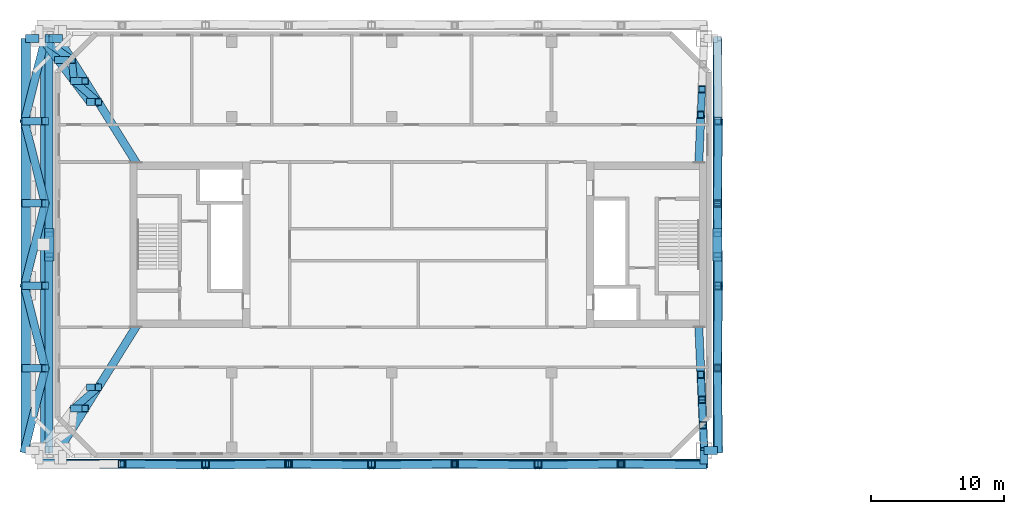
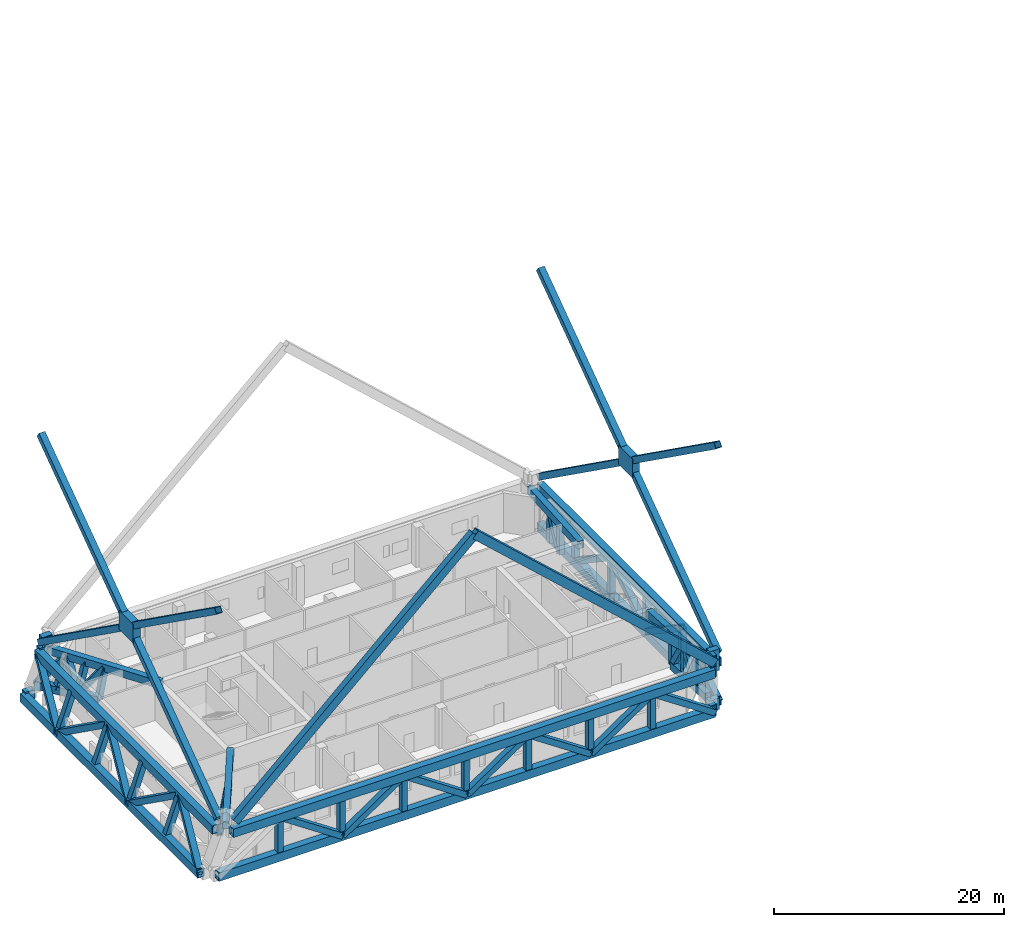
# One storey, part 2 of 22: 61 members, 21 beams.
"""IFC4 building model written with IfcOpenShell, lengths in metres."""

from ifc_helpers import new_model, si_unit, direction, frame, origin, origin_2d, place, context, subcontext, project, spatial, rectangle, hollow_rectangle, extrude, material, material_profile, profile_set, type_object, element, save


model = new_model("IFC4")

# Units and contexts
model_context = context("Model", 3, precision=1e-05, world=origin(), true_north=direction((0.0, 1.0)))
body_context = subcontext(model_context, "Body", "Model", "MODEL_VIEW")
ifc_project = project(units=[si_unit("LENGTHUNIT", "METRE"), si_unit("AREAUNIT", "SQUARE_METRE"), si_unit("VOLUMEUNIT", "CUBIC_METRE"), si_unit("PLANEANGLEUNIT", "RADIAN"), si_unit("MASSUNIT", "GRAM", prefix="KILO")], contexts=[model_context])

# Site, building, storey
site_placement = place(None, origin())
site = spatial("IfcSite", under=ifc_project, at=site_placement, CompositionType="ELEMENT")
building_placement = place(site_placement, origin())
building = spatial("IfcBuilding", under=site, at=building_placement, Name="Tuart Gate Housing", CompositionType="ELEMENT")
storey_placement = place(building_placement, frame((0.0, 0.0, 115.0)))
storey = spatial("IfcBuildingStorey", under=building, at=storey_placement, Name="L32", CompositionType="ELEMENT", Elevation=115.0)

# Beams
ifc_material_1 = material(Name="Steel Grade 350", Category="steel")
ifc_material_profile_1 = material_profile(ifc_material_1, hollow_rectangle(XDim=0.699951171875, YDim=0.89990234375, WallThickness=0.0400390625, at=origin_2d()), Name="BOX 900x700x40")
ifc_profile_set_1 = profile_set([ifc_material_profile_1], Name="Steel Grade 350")
beam_type_1 = type_object("IfcBeamType", Name="Belt truss chord BOX 900x700x40", PredefinedType="BEAM", material=ifc_profile_set_1)
for number, where, z_axis, x_axis, name in (
    (1, (26.00830078125, 54.550048828125, 3.75), (0.0, 1.0, 0.0), (-1.0, 0.0, 0.0), "Belt truss top chord A west L32"),
    (2, (76.449951171875, 54.550048828125, 3.75), (0.0, 1.0, 0.0), (-1.0, 0.0, 0.0), "Belt truss top chord A east L32"),
):
    element("IfcBeam", number, at=place(storey_placement, frame(where, z_axis=z_axis, x_axis=x_axis)), inside=storey, type_object=beam_type_1, Name=name, PredefinedType="BEAM", context=body_context, shape_type="SweptSolid", body=[
        extrude(hollow_rectangle(XDim=0.699951171875, YDim=0.89990234375, WallThickness=0.0400390625, at=origin_2d()), origin(), (0.0, 0.0, 1.0), 30.89990234375),
    ])
ifc_material_2 = material(Name="Steel Grade 350", Category="steel")
ifc_material_profile_2 = material_profile(ifc_material_2, hollow_rectangle(XDim=0.699951171875, YDim=0.89990234375, WallThickness=0.0400390625, at=origin_2d()), Name="BOX 900x700x40")
ifc_profile_set_2 = profile_set([ifc_material_profile_2], Name="Steel Grade 350")
beam_type_2 = type_object("IfcBeamType", Name="Belt truss chord BOX 900x700x40 (40.9-51.9 m)", PredefinedType="BEAM", material=ifc_profile_set_2)
beam_1_placement = place(storey_placement, frame((27.00830078125, 53.550048828125, 3.75), z_axis=(1.0, 0.0, 0.0), x_axis=(0.0, 1.0, 0.0)))
element("IfcBeam", 3, at=beam_1_placement, inside=storey, type_object=beam_type_2, Name="Belt truss top chord A south L32", PredefinedType="BEAM", context=body_context, shape_type="SweptSolid", body=[
    extrude(hollow_rectangle(XDim=0.699951171875, YDim=0.89990234375, WallThickness=0.0400390625, at=origin_2d()), origin(), (0.0, 0.0, 1.0), 48.441650390625),
])

# Members
ifc_material_3 = material(Name="Steel Grade 350", Category="steel")
ifc_material_profile_3 = material_profile(ifc_material_3, hollow_rectangle(XDim=0.60009765625, YDim=0.60009765625, WallThickness=0.031982421875, at=origin_2d()), Name="BOX 600x600x32")
ifc_profile_set_3 = profile_set([ifc_material_profile_3], Name="Steel Grade 350")
member_type_1 = type_object("IfcMemberType", Name="Belt truss diagonal BOX 600x600x32", PredefinedType="BRACE", material=ifc_profile_set_3)
member_1_placement = place(storey_placement, frame((31.78759765625, 53.550048828125, 3.75), z_axis=(0.832487019192, -0.013359937289, -0.553883448889), x_axis=(0.016046156778, 0.999871252138, 0.0)))
element("IfcMember", 4, at=member_1_placement, inside=storey, type_object=member_type_1, Name="Belt truss diagonal A south 1 L32", PredefinedType="BRACE", context=body_context, shape_type="SweptSolid", body=[
    extrude(hollow_rectangle(XDim=0.60009765625, YDim=0.60009765625, WallThickness=0.031982421875, at=origin_2d()), origin(), (0.0, 0.0, 1.0), 7.492431640625),
])
for number, where, z_axis, x_axis, name in (
    (5, (38.02490234375, 53.449951171875, -0.39990234375), (0.832497021316, 0.013359574885, 0.553868424139), (-0.016045528886, 0.999871262215, 0.0), "Belt truss diagonal A south 2 L32"),
    (6, (44.262451171875, 53.550048828125, 3.75), (0.832497021316, -0.013359574885, -0.553868424139), (0.016045528886, 0.999871262215, 0.0), "Belt truss diagonal A south 3 L32"),
    (7, (50.5, 53.449951171875, -0.39990234375), (0.832497021316, 0.013359574885, 0.553868424139), (-0.016045528886, 0.999871262215, 0.0), "Belt truss diagonal A south 4 L32"),
    (8, (56.737548828125, 53.550048828125, 3.75), (0.832497021316, -0.013359574885, -0.553868424139), (0.016045528886, 0.999871262215, 0.0), "Belt truss diagonal A south 5 L32"),
):
    element("IfcMember", number, at=place(storey_placement, frame(where, z_axis=z_axis, x_axis=x_axis)), inside=storey, type_object=member_type_1, Name=name, PredefinedType="BRACE", context=body_context, shape_type="SweptSolid", body=[
        extrude(hollow_rectangle(XDim=0.60009765625, YDim=0.60009765625, WallThickness=0.031982421875, at=origin_2d()), origin(), (0.0, 0.0, 1.0), 7.49267578125),
    ])
member_2_placement = place(storey_placement, frame((62.97509765625, 53.449951171875, -0.39990234375), z_axis=(0.832487019192, 0.013359937289, 0.553883448889), x_axis=(-0.016046156778, 0.999871252138, 0.0)))
element("IfcMember", 9, at=member_2_placement, inside=storey, type_object=member_type_1, Name="Belt truss diagonal A south 6 L32", PredefinedType="BRACE", context=body_context, shape_type="SweptSolid", body=[
    extrude(hollow_rectangle(XDim=0.60009765625, YDim=0.60009765625, WallThickness=0.031982421875, at=origin_2d()), origin(), (0.0, 0.0, 1.0), 7.492431640625),
])
member_3_placement = place(storey_placement, frame((69.21240234375, 53.550048828125, 3.75), z_axis=(0.832497021316, -0.013359574885, -0.553868424139), x_axis=(0.016045528886, 0.999871262215, 0.0)))
element("IfcMember", 10, at=member_3_placement, inside=storey, type_object=member_type_1, Name="Belt truss diagonal A south 7 L32", PredefinedType="BRACE", context=body_context, shape_type="SweptSolid", body=[
    extrude(hollow_rectangle(XDim=0.60009765625, YDim=0.60009765625, WallThickness=0.031982421875, at=origin_2d()), origin(), (0.0, 0.0, 1.0), 7.49267578125),
])
for number, where, z_axis, x_axis, name in (
    (11, (24.449951171875, 54.550048828125, -0.39990234375), (0.20490114226, 0.812574434283, 0.545654021015), (-0.969647016949, 0.244509023395, 0.0), "Belt truss diagonal A west 0 L32"),
    (12, (26.00830078125, 60.72998046875, 3.75), (-0.20490114226, 0.812574434283, -0.545654021015), (-0.969647016949, -0.244509023395, 0.0), "Belt truss diagonal A west 1 L32"),
    (13, (24.449951171875, 66.909912109375, -0.39990234375), (0.204895797618, 0.812585339322, 0.545639788173), (-0.96964930695, 0.244499941782, 0.0), "Belt truss diagonal A west 2 L32"),
    (14, (26.00830078125, 73.090087890625, 3.75), (-0.20490114226, 0.812574434283, -0.545654021015), (-0.969647016949, -0.244509023395, 0.0), "Belt truss diagonal A west 3 L32"),
    (15, (24.449951171875, 79.27001953125, -0.39990234375), (0.20490114226, 0.812574434283, 0.545654021015), (-0.969647016949, 0.244509023395, 0.0), "Belt truss diagonal A west 4 L32"),
):
    element("IfcMember", number, at=place(storey_placement, frame(where, z_axis=z_axis, x_axis=x_axis)), inside=storey, type_object=member_type_1, Name=name, PredefinedType="BRACE", context=body_context, shape_type="SweptSolid", body=[
        extrude(hollow_rectangle(XDim=0.60009765625, YDim=0.60009765625, WallThickness=0.031982421875, at=origin_2d()), origin(), (0.0, 0.0, 1.0), 7.60546875),
    ])
for number, where, z_axis, x_axis, name in (
    (16, (76.550048828125, 54.550048828125, -0.39990234375), (-0.013445527925, 0.830113776504, 0.55743191139), (-0.999868850984, -0.016195086671, 0.0), "Belt truss diagonal A east 0 L32"),
    (17, (76.449951171875, 60.72998046875, 3.75), (0.013445527925, 0.830113776504, -0.55743191139), (-0.999868850984, 0.016195086671, 0.0), "Belt truss diagonal A east 1 L32"),
):
    element("IfcMember", number, at=place(storey_placement, frame(where, z_axis=z_axis, x_axis=x_axis)), inside=storey, type_object=member_type_1, Name=name, PredefinedType="BRACE", context=body_context, shape_type="SweptSolid", body=[
        extrude(hollow_rectangle(XDim=0.60009765625, YDim=0.60009765625, WallThickness=0.031982421875, at=origin_2d()), origin(), (0.0, 0.0, 1.0), 7.444580078125),
    ])
member_4_placement = place(storey_placement, frame((76.550048828125, 66.909912109375, -0.39990234375), z_axis=(-0.013445161909, 0.830123972098, 0.557416736894), x_axis=(-0.999868861343, -0.016194447071, 0.0)))
element("IfcMember", 18, at=member_4_placement, inside=storey, type_object=member_type_1, Name="Belt truss diagonal A east 2 L32", PredefinedType="BRACE", context=body_context, shape_type="SweptSolid", body=[
    extrude(hollow_rectangle(XDim=0.60009765625, YDim=0.60009765625, WallThickness=0.031982421875, at=origin_2d()), origin(), (0.0, 0.0, 1.0), 7.44482421875),
])
member_5_placement = place(storey_placement, frame((76.449951171875, 73.090087890625, 3.75), z_axis=(0.013445527925, 0.830113776504, -0.55743191139), x_axis=(-0.999868850984, 0.016195086671, 0.0)))
element("IfcMember", 19, at=member_5_placement, inside=storey, type_object=member_type_1, Name="Belt truss diagonal A east 3 L32", PredefinedType="BRACE", context=body_context, shape_type="SweptSolid", body=[
    extrude(hollow_rectangle(XDim=0.60009765625, YDim=0.60009765625, WallThickness=0.031982421875, at=origin_2d()), origin(), (0.0, 0.0, 1.0), 7.444580078125),
])
ifc_material_4 = material(Name="Steel Grade 350", Category="steel")
ifc_material_profile_4 = material_profile(ifc_material_4, hollow_rectangle(XDim=0.56005859375, YDim=0.56005859375, WallThickness=0.030029296875, at=origin_2d()), Name="BOX 560x560x30")
ifc_profile_set_4 = profile_set([ifc_material_profile_4], Name="Steel Grade 350")
member_type_2 = type_object("IfcMemberType", Name="Belt truss post BOX 560x560x30", PredefinedType="POST", material=ifc_profile_set_4)
for number, where, z_axis, x_axis, name in (
    (20, (31.78759765625, 53.550048828125, -0.39990234375), (0.0, 0.0, 1.0), (1.0, 0.0, 0.0), "Belt truss post A south 1 L32"),
    (21, (38.02490234375, 53.550048828125, -0.39990234375), (0.0, 0.0, 1.0), (1.0, 0.0, 0.0), "Belt truss post A south 2 L32"),
    (22, (44.262451171875, 53.550048828125, -0.39990234375), (0.0, 0.0, 1.0), (1.0, 0.0, 0.0), "Belt truss post A south 3 L32"),
    (23, (50.5, 53.550048828125, -0.39990234375), (0.0, 0.0, 1.0), (1.0, 0.0, 0.0), "Belt truss post A south 4 L32"),
    (24, (56.737548828125, 53.550048828125, -0.39990234375), (0.0, 0.0, 1.0), (1.0, 0.0, 0.0), "Belt truss post A south 5 L32"),
    (25, (62.97509765625, 53.550048828125, -0.39990234375), (0.0, 0.0, 1.0), (1.0, 0.0, 0.0), "Belt truss post A south 6 L32"),
    (26, (69.21240234375, 53.550048828125, -0.39990234375), (0.0, 0.0, 1.0), (1.0, 0.0, 0.0), "Belt truss post A south 7 L32"),
):
    element("IfcMember", number, at=place(storey_placement, frame(where, z_axis=z_axis, x_axis=x_axis)), inside=storey, type_object=member_type_2, Name=name, PredefinedType="POST", context=body_context, shape_type="SweptSolid", body=[
        extrude(hollow_rectangle(XDim=0.56005859375, YDim=0.56005859375, WallThickness=0.030029296875, at=origin_2d()), origin(), (0.0, 0.0, 1.0), 4.14990234375),
    ])
for number, where, z_axis, x_axis, name in (
    (27, (24.550048828125, 60.72998046875, -0.39990234375), (0.331522046745, 0.0, 0.943447472052), (0.0, 1.0, 0.0), "Belt truss post A west 1 L32"),
    (28, (24.550048828125, 66.909912109375, -0.39990234375), (0.331522046745, 0.0, 0.943447472052), (0.0, 1.0, 0.0), "Belt truss post A west 2 L32"),
    (29, (24.550048828125, 73.090087890625, -0.39990234375), (0.331522046745, 0.0, 0.943447472052), (0.0, 1.0, 0.0), "Belt truss post A west 3 L32"),
    (30, (24.550048828125, 79.27001953125, -0.39990234375), (0.331522046745, 0.0, 0.943447472052), (0.0, 1.0, 0.0), "Belt truss post A west 4 L32"),
):
    element("IfcMember", number, at=place(storey_placement, frame(where, z_axis=z_axis, x_axis=x_axis)), inside=storey, type_object=member_type_2, Name=name, PredefinedType="POST", context=body_context, shape_type="SweptSolid", body=[
        extrude(hollow_rectangle(XDim=0.56005859375, YDim=0.56005859375, WallThickness=0.030029296875, at=origin_2d()), origin(), (0.0, 0.0, 1.0), 4.398681640625),
    ])
for number, where, z_axis, x_axis, name in (
    (31, (76.449951171875, 60.72998046875, -0.39990234375), (0.0, 0.0, 1.0), (1.0, 0.0, 0.0), "Belt truss post A east 1 L32"),
    (32, (76.449951171875, 66.909912109375, -0.39990234375), (0.0, 0.0, 1.0), (1.0, 0.0, 0.0), "Belt truss post A east 2 L32"),
    (33, (76.449951171875, 73.090087890625, -0.39990234375), (0.0, 0.0, 1.0), (1.0, 0.0, 0.0), "Belt truss post A east 3 L32"),
    (34, (76.449951171875, 79.27001953125, -0.39990234375), (0.0, 0.0, 1.0), (1.0, 0.0, 0.0), "Belt truss post A east 4 L32"),
):
    element("IfcMember", number, at=place(storey_placement, frame(where, z_axis=z_axis, x_axis=x_axis)), inside=storey, type_object=member_type_2, Name=name, PredefinedType="POST", context=body_context, shape_type="SweptSolid", body=[
        extrude(hollow_rectangle(XDim=0.56005859375, YDim=0.56005859375, WallThickness=0.030029296875, at=origin_2d()), origin(), (0.0, 0.0, 1.0), 4.14990234375),
    ])
ifc_material_5 = material(Name="Steel Grade 350", Category="steel")
ifc_material_profile_5 = material_profile(ifc_material_5, rectangle(XDim=2.446044921875, YDim=2.0048828125, at=origin_2d()), Name="Brace node plate 2446 x 2005")
ifc_profile_set_5 = profile_set([ifc_material_profile_5], Name="Steel Grade 350")
member_type_3 = type_object("IfcMemberType", Name="Brace node plate 2446 x 2005", PredefinedType="PLATE", material=ifc_profile_set_5)
for number, where, z_axis, x_axis, name in (
    (35, (25.943603515625, 70.0, 15.860107421875), (1.0, 0.0, 0.0), (0.0, 1.0, 0.0), "Brace node A zone 5 west"),
    (36, (76.093505859375, 70.0, 15.860107421875), (1.0, 0.0, 0.0), (0.0, 1.0, 0.0), "Brace node A zone 5 east"),
):
    element("IfcMember", number, at=place(storey_placement, frame(where, z_axis=z_axis, x_axis=x_axis)), inside=storey, type_object=member_type_3, Name=name, PredefinedType="PLATE", context=body_context, shape_type="SweptSolid", body=[
        extrude(rectangle(XDim=2.446044921875, YDim=2.0048828125, at=origin_2d()), origin(), (0.0, 0.0, 1.0), 0.712890625),
    ])

# Beams
ifc_material_6 = material(Name="Steel Grade 350", Category="steel")
ifc_material_profile_6 = material_profile(ifc_material_6, hollow_rectangle(XDim=0.60009765625, YDim=1.199951171875, WallThickness=0.0400390625, at=origin_2d()), Name="BOX 1200x600x40")
ifc_profile_set_6 = profile_set([ifc_material_profile_6], Name="Steel Grade 350")
beam_type_3 = type_object("IfcBeamType", Name="Brace shoe BOX 1200x600x40", PredefinedType="BEAM", material=ifc_profile_set_6)
for number, where, z_axis, x_axis, name in (
    (37, (75.449951171875, 54.550048828125, -0.39990234375), (0.0, -1.0, 0.0), (1.0, 0.0, 0.0), "Mega tie beam A node 4 south shoe 1 L32"),
    (38, (25.550048828125, 85.449951171875, -0.39990234375), (-1.0, 0.0, 0.0), (0.0, -1.0, 0.0), "Mega tie beam A node 4 west shoe 1 L32"),
    (39, (75.449951171875, 54.550048828125, -0.39990234375), (1.0, 0.0, 0.0), (0.0, 1.0, 0.0), "Mega tie beam A node 4 east shoe 0 L32"),
    (40, (75.449951171875, 54.550048828125, 4.820068359375), (0.0, -1.0, 0.0), (1.0, 0.0, 0.0), "Mega brace shoe A zone 5 south chevron 2"),
    (41, (27.300048828125, 85.449951171875, 4.820068359375), (-1.0, 0.0, 0.0), (0.0, -1.0, 0.0), "Mega brace shoe A zone 5 west cross 2"),
    (42, (75.449951171875, 54.550048828125, 4.820068359375), (1.0, 0.0, 0.0), (0.0, 1.0, 0.0), "Mega brace shoe A zone 5 east cross 1"),
    (43, (75.449951171875, 54.550048828125, 3.75), (0.0, -1.0, 0.0), (1.0, 0.0, 0.0), "Belt truss top chord A south shoe 1 L32"),
    (44, (27.00830078125, 85.449951171875, 3.75), (-1.0, 0.0, 0.0), (0.0, -1.0, 0.0), "Belt truss top chord A west shoe 1 L32"),
    (45, (75.449951171875, 54.550048828125, 3.75), (1.0, 0.0, 0.0), (0.0, 1.0, 0.0), "Belt truss top chord A east shoe 0 L32"),
):
    element("IfcBeam", number, at=place(storey_placement, frame(where, z_axis=z_axis, x_axis=x_axis)), inside=storey, type_object=beam_type_3, Name=name, PredefinedType="BEAM", context=body_context, shape_type="SweptSolid", body=[
        extrude(hollow_rectangle(XDim=0.60009765625, YDim=1.199951171875, WallThickness=0.0400390625, at=origin_2d()), origin(), (0.0, 0.0, 1.0), 1.0),
    ])

# Members
ifc_material_7 = material(Name="Steel Grade 350", Category="steel")
ifc_material_profile_7 = material_profile(ifc_material_7, hollow_rectangle(XDim=0.6201171875, YDim=0.6201171875, WallThickness=0.031005859375, at=origin_2d()), Name="BOX 620x620x31")
ifc_profile_set_7 = profile_set([ifc_material_profile_7], Name="Steel Grade 350")
member_type_4 = type_object("IfcMemberType", Name="Mega brace BOX 620x620x31", PredefinedType="BRACE", material=ifc_profile_set_7)
for number, where, z_axis, x_axis, name in (
    (46, (26.300048828125, 54.550048828125, 4.820068359375), (0.0, 0.813629209006, 0.581384133128), (-1.0, 0.0, 0.0), "Mega brace A zone 5 west cross 1 a"),
    (47, (26.300048828125, 70.77294921875, 16.412353515625), (0.0, 0.813629209006, 0.581384133128), (-1.0, 0.0, 0.0), "Mega brace A zone 5 west cross 1 b"),
    (48, (26.300048828125, 85.449951171875, 4.820068359375), (0.0, -0.813629209006, 0.581384133128), (1.0, 0.0, 0.0), "Mega brace A zone 5 west cross 2 a"),
    (49, (26.300048828125, 69.22705078125, 16.412353515625), (0.0, -0.813629209006, 0.581384133128), (1.0, 0.0, 0.0), "Mega brace A zone 5 west cross 2 b"),
    (50, (76.449951171875, 54.550048828125, 4.820068359375), (0.0, 0.813629209006, 0.581384133128), (-1.0, 0.0, 0.0), "Mega brace A zone 5 east cross 1 a"),
    (51, (76.449951171875, 70.77294921875, 16.412353515625), (0.0, 0.813629209006, 0.581384133128), (-1.0, 0.0, 0.0), "Mega brace A zone 5 east cross 1 b"),
    (52, (76.449951171875, 85.449951171875, 4.820068359375), (0.0, -0.813629209006, 0.581384133128), (1.0, 0.0, 0.0), "Mega brace A zone 5 east cross 2 a"),
    (53, (76.449951171875, 69.22705078125, 16.412353515625), (0.0, -0.813629209006, 0.581384133128), (1.0, 0.0, 0.0), "Mega brace A zone 5 east cross 2 b"),
):
    element("IfcMember", number, at=place(storey_placement, frame(where, z_axis=z_axis, x_axis=x_axis)), inside=storey, type_object=member_type_4, Name=name, PredefinedType="BRACE", context=body_context, shape_type="SweptSolid", body=[
        extrude(hollow_rectangle(XDim=0.6201171875, YDim=0.6201171875, WallThickness=0.031005859375, at=origin_2d()), origin(), (0.0, 0.0, 1.0), 18.038818359375),
    ])
ifc_material_8 = material(Name="Steel Grade 350", Category="steel")
ifc_material_profile_8 = material_profile(ifc_material_8, hollow_rectangle(XDim=0.6201171875, YDim=0.85009765625, WallThickness=0.0419921875, at=origin_2d()), Name="BOX 850x620x42")
ifc_profile_set_8 = profile_set([ifc_material_profile_8], Name="Steel Grade 350")
member_type_5 = type_object("IfcMemberType", Name="Mega brace BOX 850x620x42", PredefinedType="BRACE", material=ifc_profile_set_8)
for number, where, z_axis, x_axis, name in (
    (54, (27.300048828125, 53.550048828125, 4.820068359375), (0.736984422723, 0.0, 0.675909728191), (0.0, 1.0, 0.0), "Mega brace A zone 5 south chevron 1"),
    (55, (75.449951171875, 53.550048828125, 4.820068359375), (-0.736984422723, 0.0, 0.675909728191), (0.0, -1.0, 0.0), "Mega brace A zone 5 south chevron 2"),
):
    element("IfcMember", number, at=place(storey_placement, frame(where, z_axis=z_axis, x_axis=x_axis)), inside=storey, type_object=member_type_5, Name=name, PredefinedType="BRACE", context=body_context, shape_type="SweptSolid", body=[
        extrude(hollow_rectangle(XDim=0.6201171875, YDim=0.85009765625, WallThickness=0.0419921875, at=origin_2d()), origin(), (0.0, 0.0, 1.0), 32.666748046875),
    ])

# Beams
ifc_material_9 = material(Name="Steel Grade 350", Category="steel")
ifc_material_profile_9 = material_profile(ifc_material_9, hollow_rectangle(XDim=0.60009765625, YDim=0.800048828125, WallThickness=0.0400390625, at=origin_2d()), Name="BOX 800x600x40")
ifc_profile_set_9 = profile_set([ifc_material_profile_9], Name="Steel Grade 350")
beam_type_4 = type_object("IfcBeamType", Name="Outrigger chord BOX 800x600x40", PredefinedType="BEAM", material=ifc_profile_set_9)
beam_2_placement = place(storey_placement, frame((29.362060546875, 80.699951171875, 0.550048828125), z_axis=(-0.603821402054, 0.797119636204, 0.0), x_axis=(-0.797119636204, -0.603821402054, 0.0)))
element("IfcBeam", 56, at=beam_2_placement, inside=storey, type_object=beam_type_4, Name="Outrigger bottom chord AK north 0 L32", PredefinedType="BEAM", context=body_context, shape_type="SweptSolid", body=[
    extrude(hollow_rectangle(XDim=0.60009765625, YDim=0.800048828125, WallThickness=0.0400390625, at=origin_2d()), origin(), (0.0, 0.0, 1.0), 5.958984375),
])
beam_3_placement = place(storey_placement, frame((75.2041015625, 60.25, 0.550048828125), z_axis=(0.043091815399, -0.99907111631, 0.0), x_axis=(0.99907111631, 0.043091815399, 0.0)))
element("IfcBeam", 57, at=beam_3_placement, inside=storey, type_object=beam_type_4, Name="Outrigger bottom chord AG south 0 L32", PredefinedType="BEAM", context=body_context, shape_type="SweptSolid", body=[
    extrude(hollow_rectangle(XDim=0.60009765625, YDim=0.800048828125, WallThickness=0.0400390625, at=origin_2d()), origin(), (0.0, 0.0, 1.0), 5.705322265625),
])
ifc_material_10 = material(Name="Steel Grade 350", Category="steel")
ifc_material_profile_10 = material_profile(ifc_material_10, hollow_rectangle(XDim=0.60009765625, YDim=0.800048828125, WallThickness=0.0400390625, at=origin_2d()), Name="BOX 800x600x40")
ifc_profile_set_10 = profile_set([ifc_material_profile_10], Name="Steel Grade 350")
beam_type_5 = type_object("IfcBeamType", Name="Outrigger chord BOX 800x600x40 (11.2-13.4 m)", PredefinedType="BEAM", material=ifc_profile_set_10)
for number, where, z_axis, x_axis, name in (
    (58, (32.9599609375, 64.050048828125, 3.800048828125), (-0.529654042857, -0.84821376721, 0.0), (0.84821376721, -0.529654042857, 0.0), "Outrigger top chord AK south L32"),
    (59, (32.9599609375, 75.949951171875, 3.800048828125), (-0.529654042857, 0.84821376721, 0.0), (-0.84821376721, -0.529654042857, 0.0), "Outrigger top chord AK north L32"),
):
    element("IfcBeam", number, at=place(storey_placement, frame(where, z_axis=z_axis, x_axis=x_axis)), inside=storey, type_object=beam_type_5, Name=name, PredefinedType="BEAM", context=body_context, shape_type="SweptSolid", body=[
        extrude(hollow_rectangle(XDim=0.60009765625, YDim=0.800048828125, WallThickness=0.0400390625, at=origin_2d()), origin(), (0.0, 0.0, 1.0), 11.199951171875),
    ])
ifc_material_11 = material(Name="Steel Grade 350", Category="steel")
ifc_material_profile_11 = material_profile(ifc_material_11, hollow_rectangle(XDim=0.60009765625, YDim=0.800048828125, WallThickness=0.0400390625, at=origin_2d()), Name="BOX 800x600x40")
ifc_profile_set_11 = profile_set([ifc_material_profile_11], Name="Steel Grade 350")
beam_type_6 = type_object("IfcBeamType", Name="Outrigger chord BOX 800x600x40 (8.2-10.5 m)", PredefinedType="BEAM", material=ifc_profile_set_11)
for number, where, z_axis, x_axis, name in (
    (60, (75.0400390625, 64.050048828125, 3.800048828125), (0.043108531904, -0.999070395156, 0.0), (0.999070395156, 0.043108531904, 0.0), "Outrigger top chord AG south L32"),
    (61, (75.0400390625, 75.949951171875, 3.800048828125), (0.043108531904, 0.999070395156, 0.0), (-0.999070395156, 0.043108531904, 0.0), "Outrigger top chord AG north L32"),
):
    element("IfcBeam", number, at=place(storey_placement, frame(where, z_axis=z_axis, x_axis=x_axis)), inside=storey, type_object=beam_type_6, Name=name, PredefinedType="BEAM", context=body_context, shape_type="SweptSolid", body=[
        extrude(hollow_rectangle(XDim=0.60009765625, YDim=0.800048828125, WallThickness=0.0400390625, at=origin_2d()), origin(), (0.0, 0.0, 1.0), 9.5087890625),
    ])

# Members
ifc_material_12 = material(Name="Steel Grade 350", Category="steel")
ifc_material_profile_12 = material_profile(ifc_material_12, hollow_rectangle(XDim=0.5400390625, YDim=0.5400390625, WallThickness=0.030029296875, at=origin_2d()), Name="BOX 540x540x30")
ifc_profile_set_12 = profile_set([ifc_material_profile_12], Name="Steel Grade 350")
member_type_6 = type_object("IfcMemberType", Name="Outrigger diagonal BOX 540x540x30", PredefinedType="BRACE", material=ifc_profile_set_12)
for number, where, z_axis, x_axis, name in (
    (62, (29.993896484375, 59.300048828125, 3.800048828125), (-0.451892421734, -0.390684222763, -0.801971992817), (0.654016260838, -0.756480489213, 0.0), "Outrigger diagonal AK south 3 L32"),
    (63, (29.993896484375, 80.699951171875, 3.800048828125), (-0.451892421734, 0.390684222763, -0.801971992817), (-0.654016260838, -0.756480489213, 0.0), "Outrigger diagonal AK north 3 L32"),
):
    element("IfcMember", number, at=place(storey_placement, frame(where, z_axis=z_axis, x_axis=x_axis)), inside=storey, type_object=member_type_6, Name=name, PredefinedType="BRACE", context=body_context, shape_type="SweptSolid", body=[
        extrude(hollow_rectangle(XDim=0.5400390625, YDim=0.5400390625, WallThickness=0.030029296875, at=origin_2d()), origin(), (0.0, 0.0, 1.0), 4.052490234375),
    ])
member_6_placement = place(storey_placement, frame((28.16259765625, 82.283203125, 0.550048828125), z_axis=(-0.040350625131, 0.437649087964, 0.898240002926), x_axis=(-0.99577661768, -0.091809191701, 0.0)))
element("IfcMember", 64, at=member_6_placement, inside=storey, type_object=member_type_6, Name="Outrigger diagonal AK north 4 L32", PredefinedType="BRACE", context=body_context, shape_type="SweptSolid", body=[
    extrude(hollow_rectangle(XDim=0.5400390625, YDim=0.5400390625, WallThickness=0.030029296875, at=origin_2d()), origin(), (0.0, 0.0, 1.0), 3.6181640625),
])
member_7_placement = place(storey_placement, frame((28.0166015625, 83.86669921875, 3.800048828125), z_axis=(-0.528855103797, 0.371694521309, -0.7629911284), x_axis=(-0.575014498242, -0.81814321901, 0.0)))
element("IfcMember", 65, at=member_7_placement, inside=storey, type_object=member_type_6, Name="Outrigger diagonal AK north 5 L32", PredefinedType="BRACE", context=body_context, shape_type="SweptSolid", body=[
    extrude(hollow_rectangle(XDim=0.5400390625, YDim=0.5400390625, WallThickness=0.030029296875, at=origin_2d()), origin(), (0.0, 0.0, 1.0), 4.259521484375),
])
member_8_placement = place(storey_placement, frame((75.2041015625, 60.25, 0.550048828125), z_axis=(0.021720251236, -0.504558194384, 0.863104431205), x_axis=(0.999074718087, 0.043008228034, 0.0)))
element("IfcMember", 66, at=member_8_placement, inside=storey, type_object=member_type_6, Name="Outrigger diagonal AG south 2 L32", PredefinedType="BRACE", context=body_context, shape_type="SweptSolid", body=[
    extrude(hollow_rectangle(XDim=0.5400390625, YDim=0.5400390625, WallThickness=0.030029296875, at=origin_2d()), origin(), (0.0, 0.0, 1.0), 3.765380859375),
])
member_9_placement = place(storey_placement, frame((75.285888671875, 58.35009765625, 3.800048828125), z_axis=(0.021784344401, -0.504605810923, -0.863074978158), x_axis=(0.999069432334, 0.043130840198, 0.0)))
element("IfcMember", 67, at=member_9_placement, inside=storey, type_object=member_type_6, Name="Outrigger diagonal AG south 3 L32", PredefinedType="BRACE", context=body_context, shape_type="SweptSolid", body=[
    extrude(hollow_rectangle(XDim=0.5400390625, YDim=0.5400390625, WallThickness=0.030029296875, at=origin_2d()), origin(), (0.0, 0.0, 1.0), 3.765625),
])
for number, where, z_axis, x_axis, name in (
    (68, (75.367919921875, 56.449951171875, 0.550048828125), (0.021785057082, -0.504557482773, 0.863103213913), (0.999069193493, 0.043136372271, 0.0), "Outrigger diagonal AG south 4 L32"),
    (69, (75.2041015625, 79.75, 0.550048828125), (0.021720251236, 0.504558194384, 0.863104431205), (-0.999074718087, 0.043008228034, 0.0), "Outrigger diagonal AG north 2 L32"),
):
    element("IfcMember", number, at=place(storey_placement, frame(where, z_axis=z_axis, x_axis=x_axis)), inside=storey, type_object=member_type_6, Name=name, PredefinedType="BRACE", context=body_context, shape_type="SweptSolid", body=[
        extrude(hollow_rectangle(XDim=0.5400390625, YDim=0.5400390625, WallThickness=0.030029296875, at=origin_2d()), origin(), (0.0, 0.0, 1.0), 3.765380859375),
    ])
ifc_material_13 = material(Name="Steel Grade 350", Category="steel")
ifc_material_profile_13 = material_profile(ifc_material_13, hollow_rectangle(XDim=0.52001953125, YDim=0.52001953125, WallThickness=0.028076171875, at=origin_2d()), Name="BOX 520x520x28")
ifc_profile_set_13 = profile_set([ifc_material_profile_13], Name="Steel Grade 350")
member_type_7 = type_object("IfcMemberType", Name="Outrigger post BOX 520x520x28", PredefinedType="POST", material=ifc_profile_set_13)
member_10_placement = place(storey_placement, frame((29.362060546875, 59.300048828125, 0.550048828125), z_axis=(0.190838079815, 0.0, 0.981621529558), x_axis=(0.0, 1.0, 0.0)))
element("IfcMember", 70, at=member_10_placement, inside=storey, type_object=member_type_7, Name="Outrigger post AK south 3 L32", PredefinedType="POST", context=body_context, shape_type="SweptSolid", body=[
    extrude(hollow_rectangle(XDim=0.52001953125, YDim=0.52001953125, WallThickness=0.028076171875, at=origin_2d()), origin(), (0.0, 0.0, 1.0), 3.310791015625),
])
member_11_placement = place(storey_placement, frame((28.16259765625, 57.716796875, 0.550048828125), z_axis=(0.25094449369, 0.0, 0.968001477833), x_axis=(0.0, 1.0, 0.0)))
element("IfcMember", 71, at=member_11_placement, inside=storey, type_object=member_type_7, Name="Outrigger post AK south 4 L32", PredefinedType="POST", context=body_context, shape_type="SweptSolid", body=[
    extrude(hollow_rectangle(XDim=0.52001953125, YDim=0.52001953125, WallThickness=0.028076171875, at=origin_2d()), origin(), (0.0, 0.0, 1.0), 3.357421875),
])
member_12_placement = place(storey_placement, frame((29.362060546875, 80.699951171875, 0.550048828125), z_axis=(0.190838079815, 0.0, 0.981621529558), x_axis=(0.0, 1.0, 0.0)))
element("IfcMember", 72, at=member_12_placement, inside=storey, type_object=member_type_7, Name="Outrigger post AK north 3 L32", PredefinedType="POST", context=body_context, shape_type="SweptSolid", body=[
    extrude(hollow_rectangle(XDim=0.52001953125, YDim=0.52001953125, WallThickness=0.028076171875, at=origin_2d()), origin(), (0.0, 0.0, 1.0), 3.310791015625),
])
member_13_placement = place(storey_placement, frame((28.16259765625, 82.283203125, 0.550048828125), z_axis=(0.25094449369, 0.0, 0.968001477833), x_axis=(0.0, 1.0, 0.0)))
element("IfcMember", 73, at=member_13_placement, inside=storey, type_object=member_type_7, Name="Outrigger post AK north 4 L32", PredefinedType="POST", context=body_context, shape_type="SweptSolid", body=[
    extrude(hollow_rectangle(XDim=0.52001953125, YDim=0.52001953125, WallThickness=0.028076171875, at=origin_2d()), origin(), (0.0, 0.0, 1.0), 3.357421875),
])
member_14_placement = place(storey_placement, frame((26.963134765625, 83.86669921875, 0.550048828125), z_axis=(0.308349163697, 0.0, 0.951273248466), x_axis=(0.0, 1.0, 0.0)))
element("IfcMember", 74, at=member_14_placement, inside=storey, type_object=member_type_7, Name="Outrigger post AK north 5 L32", PredefinedType="POST", context=body_context, shape_type="SweptSolid", body=[
    extrude(hollow_rectangle(XDim=0.52001953125, YDim=0.52001953125, WallThickness=0.028076171875, at=origin_2d()), origin(), (0.0, 0.0, 1.0), 3.41650390625),
])
for number, where, z_axis, x_axis, name in (
    (75, (75.2041015625, 60.25, 0.550048828125), (0.0, 0.0, 1.0), (1.0, 0.0, 0.0), "Outrigger post AG south 2 L32"),
    (76, (75.285888671875, 58.35009765625, 0.550048828125), (0.0, 0.0, 1.0), (1.0, 0.0, 0.0), "Outrigger post AG south 3 L32"),
    (77, (75.367919921875, 56.449951171875, 0.550048828125), (0.0, 0.0, 1.0), (1.0, 0.0, 0.0), "Outrigger post AG south 4 L32"),
    (78, (75.2041015625, 79.75, 0.550048828125), (0.0, 0.0, 1.0), (1.0, 0.0, 0.0), "Outrigger post AG north 2 L32"),
    (79, (75.285888671875, 81.64990234375, 0.550048828125), (0.0, 0.0, 1.0), (1.0, 0.0, 0.0), "Outrigger post AG north 3 L32"),
):
    element("IfcMember", number, at=place(storey_placement, frame(where, z_axis=z_axis, x_axis=x_axis)), inside=storey, type_object=member_type_7, Name=name, PredefinedType="POST", context=body_context, shape_type="SweptSolid", body=[
        extrude(hollow_rectangle(XDim=0.52001953125, YDim=0.52001953125, WallThickness=0.028076171875, at=origin_2d()), origin(), (0.0, 0.0, 1.0), 3.25),
    ])

# Beams
ifc_material_14 = material(Name="Steel Grade 350", Category="steel")
ifc_material_profile_14 = material_profile(ifc_material_14, hollow_rectangle(XDim=0.699951171875, YDim=0.89990234375, WallThickness=0.0400390625, at=origin_2d()), Name="BOX 900x700x40")
ifc_profile_set_14 = profile_set([ifc_material_profile_14], Name="Steel Grade 350")
beam_type_7 = type_object("IfcBeamType", Name="Tie beam BOX 900x700x40", PredefinedType="BEAM", material=ifc_profile_set_14)
for number, where, z_axis, x_axis, name in (
    (80, (24.550048828125, 54.550048828125, -0.39990234375), (0.0, 1.0, 0.0), (-1.0, 0.0, 0.0), "Mega tie beam A node 4 west L32"),
    (81, (76.449951171875, 54.550048828125, -0.39990234375), (0.0, 1.0, 0.0), (-1.0, 0.0, 0.0), "Mega tie beam A node 4 east L32"),
):
    element("IfcBeam", number, at=place(storey_placement, frame(where, z_axis=z_axis, x_axis=x_axis)), inside=storey, type_object=beam_type_7, Name=name, PredefinedType="BEAM", context=body_context, shape_type="SweptSolid", body=[
        extrude(hollow_rectangle(XDim=0.699951171875, YDim=0.89990234375, WallThickness=0.0400390625, at=origin_2d()), origin(), (0.0, 0.0, 1.0), 30.89990234375),
    ])
ifc_material_15 = material(Name="Steel Grade 350", Category="steel")
ifc_material_profile_15 = material_profile(ifc_material_15, hollow_rectangle(XDim=0.699951171875, YDim=0.89990234375, WallThickness=0.0400390625, at=origin_2d()), Name="BOX 900x700x40")
ifc_profile_set_15 = profile_set([ifc_material_profile_15], Name="Steel Grade 350")
beam_type_8 = type_object("IfcBeamType", Name="Tie beam BOX 900x700x40 (40.6-51.7 m)", PredefinedType="BEAM", material=ifc_profile_set_15)
beam_4_placement = place(storey_placement, frame((25.550048828125, 53.550048828125, -0.39990234375), z_axis=(1.0, 0.0, 0.0), x_axis=(0.0, 1.0, 0.0)))
element("IfcBeam", 82, at=beam_4_placement, inside=storey, type_object=beam_type_8, Name="Mega tie beam A node 4 south L32", PredefinedType="BEAM", context=body_context, shape_type="SweptSolid", body=[
    extrude(hollow_rectangle(XDim=0.699951171875, YDim=0.89990234375, WallThickness=0.0400390625, at=origin_2d()), origin(), (0.0, 0.0, 1.0), 49.89990234375),
])

save(model, "model.ifc")
